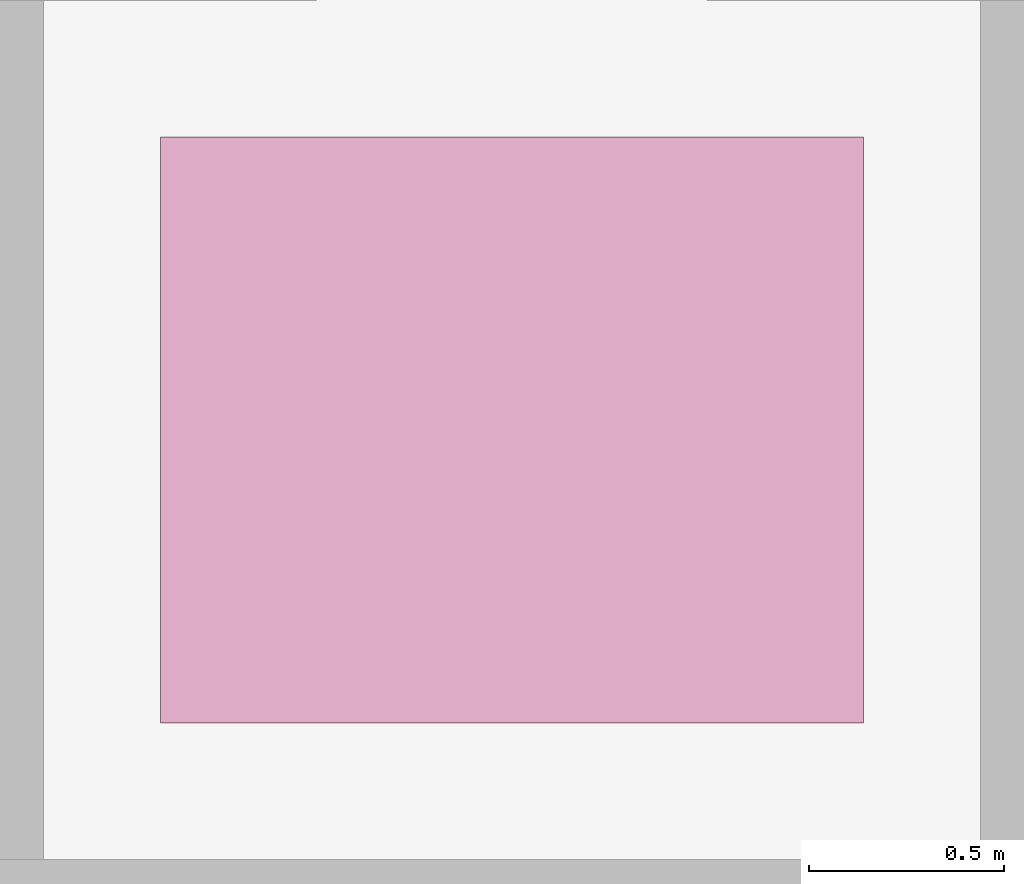
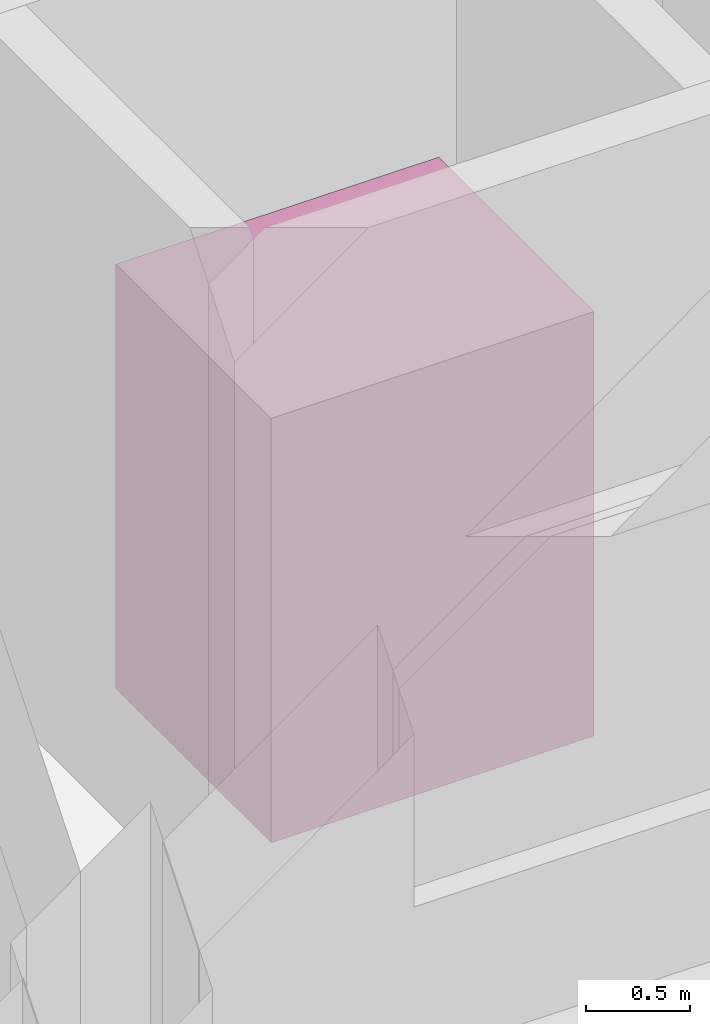
# One storey, part 11 of 11: 1 transport element.
"""IFC4 building model written with IfcOpenShell, lengths in metres."""

from ifc_helpers import new_model, si_unit, direction, frame, origin, origin_2d, place, context, subcontext, project, spatial, rectangle, extrude, material, type_object, element, save


model = new_model("IFC4")

# Units and contexts
model_context = context("Model", 3, precision=1e-05, world=origin(), true_north=direction((0.0, 1.0)))
body_context = subcontext(model_context, "Body", "Model", "MODEL_VIEW")
ifc_project = project(units=[si_unit("LENGTHUNIT", "METRE"), si_unit("AREAUNIT", "SQUARE_METRE"), si_unit("VOLUMEUNIT", "CUBIC_METRE"), si_unit("PLANEANGLEUNIT", "RADIAN"), si_unit("MASSUNIT", "GRAM", prefix="KILO")], contexts=[model_context])

# Site, building, storey
site_placement = place(None, origin())
site = spatial("IfcSite", under=ifc_project, at=site_placement, CompositionType="ELEMENT")
building_placement = place(site_placement, origin())
building = spatial("IfcBuilding", under=site, at=building_placement, Name="Kharva Crest Polytechnic", CompositionType="ELEMENT")
storey_placement = place(building_placement, frame((0.0, 0.0, -4.199951171875)))
storey = spatial("IfcBuildingStorey", under=building, at=storey_placement, Name="LG", CompositionType="ELEMENT", Elevation=-4.199951171875)

# Transport element
ifc_material = material(Name="Anodised aluminium", Category="aluminium")
transport_element_type = type_object("IfcTransportElementType", Name="LFT-PAX-1800X1500", PredefinedType="ELEVATOR", material=ifc_material)
transport_element_placement = place(storey_placement, frame((139.60009765625, 2.5, 0.0), z_axis=(0.0, 0.0, 1.0), x_axis=(1.0, 0.0, 0.0)))
element("IfcTransportElement", 1, at=transport_element_placement, inside=storey, type_object=transport_element_type, Name="Passenger Lift PL4", PredefinedType="ELEVATOR", context=body_context, shape_type="SweptSolid", body=[
    extrude(rectangle(XDim=1.800048828125, YDim=1.5, at=origin_2d()), origin(), (0.0, 0.0, 1.0), 2.5),
])

save(model, "model.ifc")
